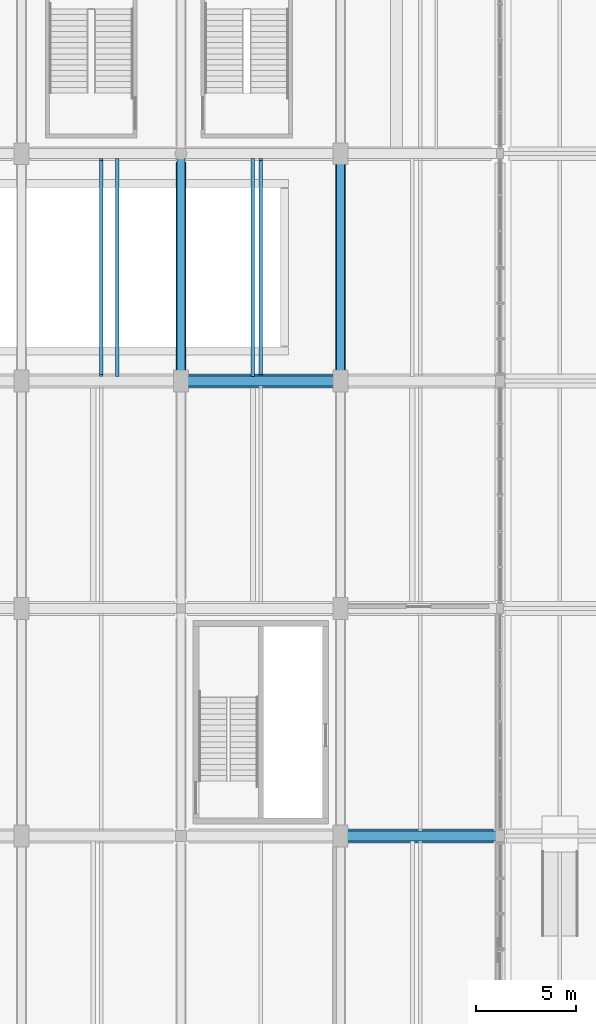
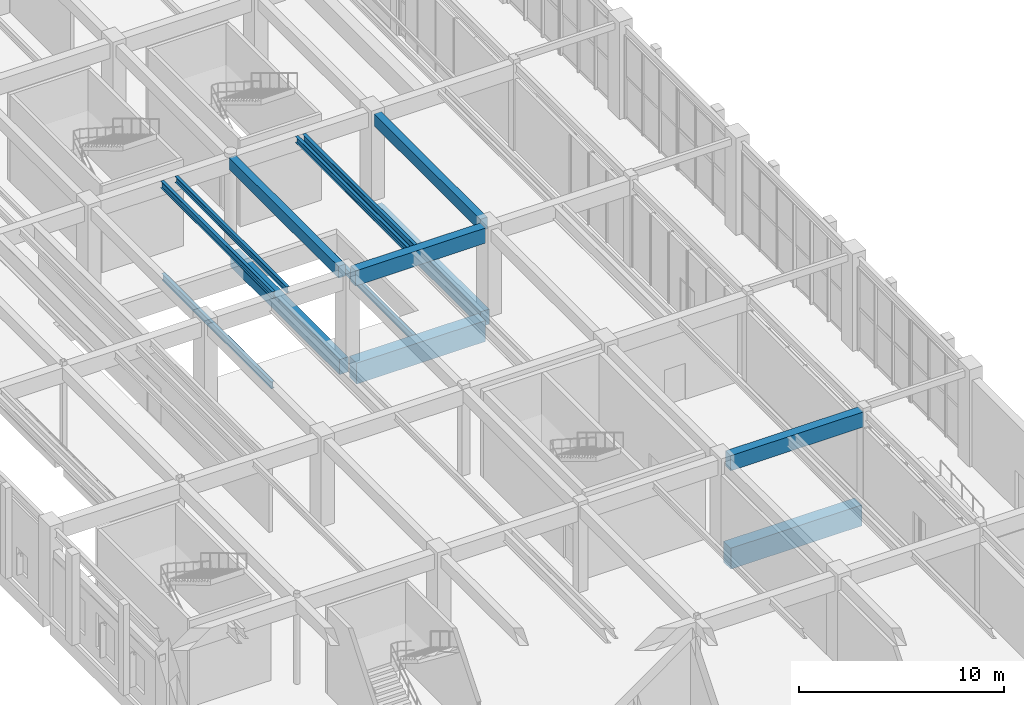
# One storey, part 28 of 113: 14 beams.
"""IFC4 building model written with IfcOpenShell, lengths in metres."""

from ifc_helpers import new_model, si_unit, direction, frame, origin, origin_2d, place, context, subcontext, project, spatial, rectangle, i_section, extrude, material, material_profile, profile_set, type_object, element, save


model = new_model("IFC4")

# Units and contexts
model_context = context("Model", 3, precision=1e-05, world=origin(), true_north=direction((0.0, 1.0)))
body_context = subcontext(model_context, "Body", "Model", "MODEL_VIEW")
ifc_project = project(units=[si_unit("LENGTHUNIT", "METRE"), si_unit("AREAUNIT", "SQUARE_METRE"), si_unit("VOLUMEUNIT", "CUBIC_METRE"), si_unit("PLANEANGLEUNIT", "RADIAN"), si_unit("MASSUNIT", "GRAM", prefix="KILO"), si_unit("POWERUNIT", "WATT"), si_unit("THERMODYNAMICTEMPERATUREUNIT", "KELVIN")], contexts=[model_context])

# Site, building, storey
site_placement = place(None, origin())
site = spatial("IfcSite", under=ifc_project, at=site_placement, CompositionType="ELEMENT")
building_placement = place(site_placement, origin())
building = spatial("IfcBuilding", under=site, at=building_placement, Name="Kelmbourne Parkland Aquatics Centre", CompositionType="ELEMENT")
storey_placement = place(building_placement, origin())
storey = spatial("IfcBuildingStorey", under=building, at=storey_placement, Name="L00", CompositionType="ELEMENT", Elevation=0.0)

# Beams
ifc_material_1 = material(Name="Concrete C40/50", Category="concrete")
ifc_material_profile_1 = material_profile(ifc_material_1, rectangle(XDim=0.5, YDim=0.89990234375, at=origin_2d()), Name="RC 500x900")
ifc_profile_set_1 = profile_set([ifc_material_profile_1], Name="Concrete C40/50")
beam_type_1 = type_object("IfcBeamType", Name="BM-G03", PredefinedType="BEAM", material=ifc_profile_set_1)
beam_1_placement = place(storey_placement, frame((24.0, 58.1298828125, -0.72998046875), z_axis=(0.0, 1.0, 0.0), x_axis=(-1.0, 0.0, 0.0)))
element("IfcBeam", 1, at=beam_1_placement, inside=storey, type_object=beam_type_1, Name="Primary girder 08-10 Grid D (L00)", PredefinedType="BEAM", context=body_context, shape_type="SweptSolid", body=[
    extrude(rectangle(XDim=0.5, YDim=0.89990234375, at=origin_2d()), origin(), (0.0, 0.0, 1.0), 10.6650390625),
])
beam_2_placement = place(storey_placement, frame((32.0, 58.205078125, -0.72998046875), z_axis=(0.0, 1.0, 0.0), x_axis=(-1.0, 0.0, 0.0)))
element("IfcBeam", 2, at=beam_2_placement, inside=storey, type_object=beam_type_1, Name="Primary girder 08-10 Grid E (L00)", PredefinedType="BEAM", context=body_context, shape_type="SweptSolid", body=[
    extrude(rectangle(XDim=0.5, YDim=0.89990234375, at=origin_2d()), origin(), (0.0, 0.0, 1.0), 10.489990234375),
])
beam_3_placement = place(storey_placement, frame((32.330078125, 35.0, 4.7099609375), z_axis=(1.0, 0.0, 0.0), x_axis=(0.0, 1.0, 0.0)))
element("IfcBeam", 3, at=beam_3_placement, inside=storey, type_object=beam_type_1, Name="Primary girder E-F Grid 05 (L01)", PredefinedType="BEAM", context=body_context, shape_type="SweptSolid", body=[
    extrude(rectangle(XDim=0.5, YDim=0.89990234375, at=origin_2d()), origin(), (0.0, 0.0, 1.0), 7.489990234375),
])
beam_4_placement = place(storey_placement, frame((24.330078125, 57.800048828125, 4.7099609375), z_axis=(1.0, 0.0, 0.0), x_axis=(0.0, 1.0, 0.0)))
element("IfcBeam", 4, at=beam_4_placement, inside=storey, type_object=beam_type_1, Name="Primary girder D-E Grid 08 (L01)", PredefinedType="BEAM", context=body_context, shape_type="SweptSolid", body=[
    extrude(rectangle(XDim=0.5, YDim=0.89990234375, at=origin_2d()), origin(), (0.0, 0.0, 1.0), 7.33984375),
])
ifc_material_profile_2 = material_profile(ifc_material_1, rectangle(XDim=0.39990234375, YDim=0.699951171875, at=origin_2d()), Name="RC 400x700")
ifc_profile_set_2 = profile_set([ifc_material_profile_2], Name="Concrete C40/50")
beam_type_2 = type_object("IfcBeamType", Name="BM-G05", PredefinedType="BEAM", material=ifc_profile_set_2)
beam_5_placement = place(storey_placement, frame((24.0, 58.304931640625, 4.81005859375), z_axis=(0.0, 1.0, 0.0), x_axis=(-1.0, 0.0, 0.0)))
element("IfcBeam", 5, at=beam_5_placement, inside=storey, type_object=beam_type_2, Name="Primary girder 08-10 Grid D (L01)", PredefinedType="BEAM", context=body_context, shape_type="SweptSolid", body=[
    extrude(rectangle(XDim=0.39990234375, YDim=0.699951171875, at=origin_2d()), origin(), (0.0, 0.0, 1.0), 10.72412109375),
])
beam_6_placement = place(storey_placement, frame((32.0, 58.304931640625, 4.81005859375), z_axis=(0.0, 1.0, 0.0), x_axis=(-1.0, 0.0, 0.0)))
element("IfcBeam", 6, at=beam_6_placement, inside=storey, type_object=beam_type_2, Name="Primary girder 08-10 Grid E (L01)", PredefinedType="BEAM", context=body_context, shape_type="SweptSolid", body=[
    extrude(rectangle(XDim=0.39990234375, YDim=0.699951171875, at=origin_2d()), origin(), (0.0, 0.0, 1.0), 10.39013671875),
])
ifc_material_2 = material(Name="Concrete C50/60", Category="concrete")
ifc_material_profile_3 = material_profile(ifc_material_2, rectangle(XDim=0.699951171875, YDim=1.25, at=origin_2d()), Name="RC 700x1250")
ifc_profile_set_3 = profile_set([ifc_material_profile_3], Name="Concrete C50/60")
beam_type_3 = type_object("IfcBeamType", Name="BM-G08", PredefinedType="BEAM", material=ifc_profile_set_3)
beam_7_placement = place(storey_placement, frame((32.280029296875, 35.0, -0.905029296875), z_axis=(1.0, 0.0, 0.0), x_axis=(0.0, 1.0, 0.0)))
element("IfcBeam", 7, at=beam_7_placement, inside=storey, type_object=beam_type_3, Name="Primary girder E-F Grid 05 (L00)", PredefinedType="BEAM", context=body_context, shape_type="SweptSolid", body=[
    extrude(rectangle(XDim=0.699951171875, YDim=1.25, at=origin_2d()), origin(), (0.0, 0.0, 1.0), 7.389892578125),
])
beam_8_placement = place(storey_placement, frame((24.330078125, 57.800048828125, -0.905029296875), z_axis=(1.0, 0.0, 0.0), x_axis=(0.0, 1.0, 0.0)))
element("IfcBeam", 8, at=beam_8_placement, inside=storey, type_object=beam_type_3, Name="Primary girder D-E Grid 08 (L00)", PredefinedType="BEAM", context=body_context, shape_type="SweptSolid", body=[
    extrude(rectangle(XDim=0.699951171875, YDim=1.25, at=origin_2d()), origin(), (0.0, 0.0, 1.0), 7.264892578125),
])
ifc_material_3 = material(Name="Structural steel AS/NZS 3679.1 Grade 300", Category="steel")
ifc_material_profile_4 = material_profile(ifc_material_3, i_section(OverallWidth=0.177978515625, OverallDepth=0.406005859375, WebThickness=0.0078125, FlangeThickness=0.0126953125, at=origin_2d()), Name="410UB59.7")
ifc_profile_set_4 = profile_set([ifc_material_profile_4], Name="Structural steel AS/NZS 3679.1 Grade 300")
beam_type_4 = type_object("IfcBeamType", Name="BM-J01", PredefinedType="JOIST", material=ifc_profile_set_4)
for number, where, z_axis, x_axis, name in (
    (9, (20.0, 58.14208984375, -0.48291015625), (0.0, 1.0, 0.0), (-1.0, 0.0, 0.0), "Secondary floor joist C-D/08-10 #1 (L00)"),
    (10, (28.0, 58.14208984375, -0.48291015625), (0.0, 1.0, 0.0), (-1.0, 0.0, 0.0), "Secondary floor joist D-E/08-10 #1 (L00)"),
):
    element("IfcBeam", number, at=place(storey_placement, frame(where, z_axis=z_axis, x_axis=x_axis)), inside=storey, type_object=beam_type_4, Name=name, PredefinedType="JOIST", context=body_context, shape_type="SweptSolid", body=[
        extrude(i_section(OverallWidth=0.177978515625, OverallDepth=0.406005859375, WebThickness=0.0078125, FlangeThickness=0.0126953125, at=origin_2d()), origin(), (0.0, 0.0, 1.0), 10.7158203125),
    ])
for number, where, z_axis, x_axis, name in (
    (11, (20.0, 58.0419921875, 4.95703125), (0.0, 1.0, 0.0), (-1.0, 0.0, 0.0), "Secondary floor joist C-D/08-10 #1 (L01)"),
    (12, (28.0, 58.0419921875, 4.95703125), (0.0, 1.0, 0.0), (-1.0, 0.0, 0.0), "Secondary floor joist D-E/08-10 #1 (L01)"),
):
    element("IfcBeam", number, at=place(storey_placement, frame(where, z_axis=z_axis, x_axis=x_axis)), inside=storey, type_object=beam_type_4, Name=name, PredefinedType="JOIST", context=body_context, shape_type="SweptSolid", body=[
        extrude(i_section(OverallWidth=0.177978515625, OverallDepth=0.406005859375, WebThickness=0.0078125, FlangeThickness=0.0126953125, at=origin_2d()), origin(), (0.0, 0.0, 1.0), 10.916015625),
    ])
ifc_material_profile_5 = material_profile(ifc_material_3, i_section(OverallWidth=0.172119140625, OverallDepth=0.35888671875, WebThickness=0.008056640625, FlangeThickness=0.012939453125, at=origin_2d()), Name="360UB56.7")
ifc_profile_set_5 = profile_set([ifc_material_profile_5], Name="Structural steel AS/NZS 3679.1 Grade 300")
beam_type_5 = type_object("IfcBeamType", Name="BM-J02", PredefinedType="JOIST", material=ifc_profile_set_5)
beam_9_placement = place(storey_placement, frame((20.800048828125, 58.0419921875, 4.98046875), z_axis=(0.0, 1.0, 0.0), x_axis=(-1.0, 0.0, 0.0)))
element("IfcBeam", 13, at=beam_9_placement, inside=storey, type_object=beam_type_5, Name="Deck secondary trim beam 11", PredefinedType="JOIST", context=body_context, shape_type="SweptSolid", body=[
    extrude(i_section(OverallWidth=0.172119140625, OverallDepth=0.35888671875, WebThickness=0.008056640625, FlangeThickness=0.012939453125, at=origin_2d()), origin(), (0.0, 0.0, 1.0), 10.916015625),
])
ifc_material_profile_6 = material_profile(ifc_material_3, i_section(OverallWidth=0.1708984375, OverallDepth=0.35595703125, WebThickness=0.00732421875, FlangeThickness=0.011474609375, at=origin_2d()), Name="360UB50.7")
ifc_profile_set_6 = profile_set([ifc_material_profile_6], Name="Structural steel AS/NZS 3679.1 Grade 300")
beam_type_6 = type_object("IfcBeamType", Name="BM-J03", PredefinedType="JOIST", material=ifc_profile_set_6)
beam_10_placement = place(storey_placement, frame((27.60009765625, 58.0419921875, 4.98193359375), z_axis=(0.0, 1.0, 0.0), x_axis=(-1.0, 0.0, 0.0)))
element("IfcBeam", 14, at=beam_10_placement, inside=storey, type_object=beam_type_6, Name="Deck secondary trim beam 12", PredefinedType="JOIST", context=body_context, shape_type="SweptSolid", body=[
    extrude(i_section(OverallWidth=0.1708984375, OverallDepth=0.35595703125, WebThickness=0.00732421875, FlangeThickness=0.011474609375, at=origin_2d()), origin(), (0.0, 0.0, 1.0), 10.916015625),
])

save(model, "model.ifc")
